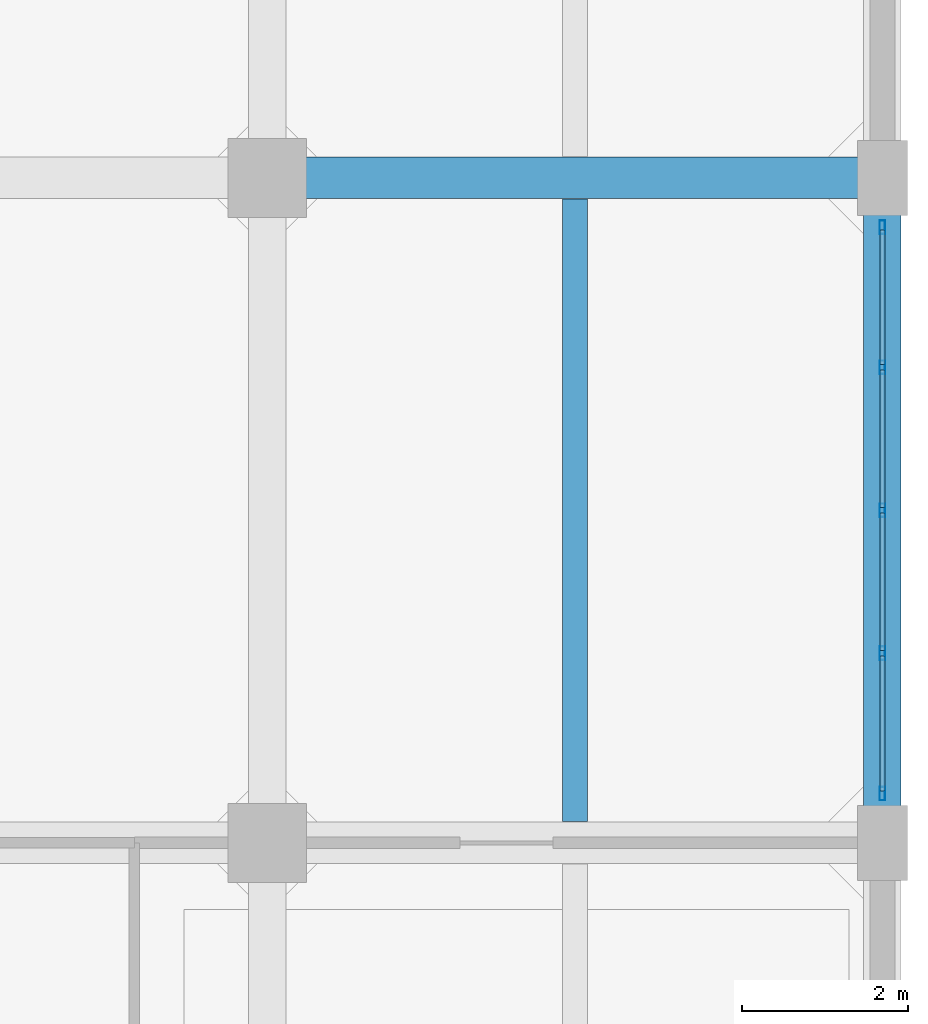
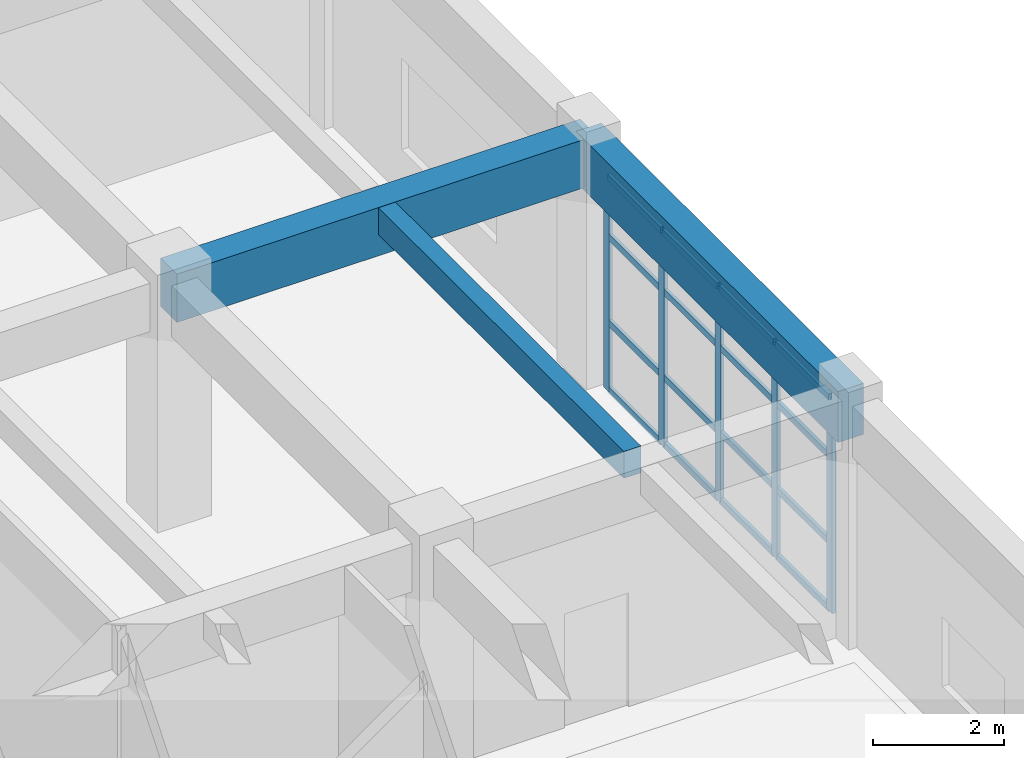
# One storey, part 191 of 248: 21 members, 3 beams, 1 element without a shape of its own.
"""IFC4 building model written with IfcOpenShell, lengths in metres."""

from ifc_helpers import new_model, si_unit, direction, frame, origin, origin_2d, place, context, subcontext, project, spatial, rectangle, hollow_rectangle, extrude, material, layer, layer_set, material_profile, profile_set, type_object, element, aggregate, save


model = new_model("IFC4")

# Units and contexts
model_context = context("Model", 3, precision=1e-05, world=origin(), true_north=direction((0.0, 1.0)))
body_context = subcontext(model_context, "Body", "Model", "MODEL_VIEW")
ifc_project = project(units=[si_unit("LENGTHUNIT", "METRE"), si_unit("AREAUNIT", "SQUARE_METRE"), si_unit("VOLUMEUNIT", "CUBIC_METRE"), si_unit("PLANEANGLEUNIT", "RADIAN"), si_unit("MASSUNIT", "GRAM", prefix="KILO")], contexts=[model_context])

# Site, building, storey
site_placement = place(None, origin())
site = spatial("IfcSite", under=ifc_project, at=site_placement, CompositionType="ELEMENT")
building_placement = place(site_placement, origin())
building = spatial("IfcBuilding", under=site, at=building_placement, Name="Canggui Botanical Conservatory", CompositionType="ELEMENT")
storey_placement = place(building_placement, frame((0.0, 0.0, 5.39990234375)))
storey = spatial("IfcBuildingStorey", under=building, at=storey_placement, Name="L02", CompositionType="ELEMENT", Elevation=5.39990234375)

# Beams
ifc_material_1 = material(Name="Concrete C35", Category="concrete")
ifc_material_profile_1 = material_profile(ifc_material_1, rectangle(XDim=0.300048828125, YDim=0.5, at=origin_2d()), Name="RB 300x500")
ifc_profile_set_1 = profile_set([ifc_material_profile_1], Name="Concrete C35")
beam_type_1 = type_object("IfcBeamType", Name="BM-JST02", PredefinedType="JOIST", material=ifc_profile_set_1)
beam_1_placement = place(storey_placement, frame((173.699951171875, 58.2548828125, 4.27001953125), z_axis=(0.0, 1.0, 0.0), x_axis=(-1.0, 0.0, 0.0)))
element("IfcBeam", 1, at=beam_1_placement, inside=storey, type_object=beam_type_1, Name="Secondary Floor Joist L02-6-5", PredefinedType="JOIST", context=body_context, shape_type="SweptSolid", body=[
    extrude(rectangle(XDim=0.300048828125, YDim=0.5, at=origin_2d()), origin(), (0.0, 0.0, 1.0), 7.490234375),
])
ifc_material_profile_2 = material_profile(ifc_material_1, rectangle(XDim=0.5, YDim=0.89990234375, at=origin_2d()), Name="RB 500x900")
ifc_profile_set_2 = profile_set([ifc_material_profile_2], Name="Concrete C35")
beam_type_2 = type_object("IfcBeamType", Name="BM-KL03", PredefinedType="BEAM", material=ifc_profile_set_2)
beam_2_placement = place(storey_placement, frame((170.0, 66.0, 4.070068359375), z_axis=(1.0, 0.0, 0.0), x_axis=(0.0, 1.0, 0.0)))
element("IfcBeam", 2, at=beam_2_placement, inside=storey, type_object=beam_type_2, Name="Frame Girder L02 Y66-6", PredefinedType="BEAM", context=body_context, shape_type="SweptSolid", body=[
    extrude(rectangle(XDim=0.5, YDim=0.89990234375, at=origin_2d()), origin(), (0.0, 0.0, 1.0), 7.39990234375),
])
ifc_material_profile_3 = material_profile(ifc_material_1, rectangle(XDim=0.449951171875, YDim=0.949951171875, at=origin_2d()), Name="RB 450x950")
ifc_profile_set_3 = profile_set([ifc_material_profile_3], Name="Concrete C35")
beam_type_3 = type_object("IfcBeamType", Name="BM-KL04", PredefinedType="BEAM", material=ifc_profile_set_3)
beam_3_placement = place(storey_placement, frame((177.39990234375, 58.0, 4.045166015625), z_axis=(0.0, 1.0, 0.0), x_axis=(-1.0, 0.0, 0.0)))
element("IfcBeam", 3, at=beam_3_placement, inside=storey, type_object=beam_type_3, Name="Frame Girder L02 X178-5", PredefinedType="BEAM", context=body_context, shape_type="SweptSolid", body=[
    extrude(rectangle(XDim=0.449951171875, YDim=0.949951171875, at=origin_2d()), origin(), (0.0, 0.0, 1.0), 8.0),
])

# Curtain wall, members
ifc_material_2 = material(Name="Thermally Broken Aluminium", Category="aluminium")
ifc_layer = layer(ifc_material_2, 0.1650390625, Name="Thermally Broken Aluminium", Category="aluminium")
ifc_layer_set = layer_set([ifc_layer], Name="Thermally Broken Aluminium")
curtain_wall_type = type_object("IfcCurtainWallType", Name="CW-UNIT-B", PredefinedType="USERDEFINED", material=ifc_layer_set)
curtain_wall_placement = place(storey_placement, origin())
curtain_wall = element("IfcCurtainWall", 4, at=curtain_wall_placement, inside=storey, type_object=curtain_wall_type, Name="Facade Curtain Wall CW-TWR-L02-22", ObjectType="UNITISED CURTAIN WALL", PredefinedType="USERDEFINED")
ifc_material_profile_4 = material_profile(ifc_material_2, hollow_rectangle(XDim=0.06494140625, YDim=0.1650390625, WallThickness=0.00390625, at=origin_2d()), Name="CWM 65x165x4")
ifc_profile_set_4 = profile_set([ifc_material_profile_4], Name="Thermally Broken Aluminium")
member_type_1 = type_object("IfcMemberType", Name="CWM-02", PredefinedType="MULLION", material=ifc_profile_set_4)
member_1_placement = place(storey_placement, frame((177.39990234375, 65.407470703125, 0.0), z_axis=(0.0, 0.0, 1.0), x_axis=(1.0, 0.0, 0.0)))
member_1 = element("IfcMember", 5, at=member_1_placement, type_object=member_type_1, Name="CW-02 mullion 1", PredefinedType="MULLION", context=body_context, shape_type="SweptSolid", body=[
    extrude(hollow_rectangle(XDim=0.06494140625, YDim=0.1650390625, WallThickness=0.00390625, at=origin_2d()), origin(), (0.0, 0.0, 1.0), 4.0),
])
member_2_placement = place(storey_placement, frame((177.39990234375, 63.719970703125, 0.0), z_axis=(0.0, 0.0, 1.0), x_axis=(1.0, 0.0, 0.0)))
member_2 = element("IfcMember", 6, at=member_2_placement, type_object=member_type_1, Name="CW-02 mullion 2", PredefinedType="MULLION", context=body_context, shape_type="SweptSolid", body=[
    extrude(hollow_rectangle(XDim=0.06494140625, YDim=0.1650390625, WallThickness=0.00390625, at=origin_2d()), origin(), (0.0, 0.0, 1.0), 4.0),
])
member_3_placement = place(storey_placement, frame((177.39990234375, 62.0, 0.0), z_axis=(0.0, 0.0, 1.0), x_axis=(1.0, 0.0, 0.0)))
member_3 = element("IfcMember", 7, at=member_3_placement, type_object=member_type_1, Name="CW-02 mullion 3", PredefinedType="MULLION", context=body_context, shape_type="SweptSolid", body=[
    extrude(hollow_rectangle(XDim=0.06494140625, YDim=0.1650390625, WallThickness=0.00390625, at=origin_2d()), origin(), (0.0, 0.0, 1.0), 4.0),
])
member_4_placement = place(storey_placement, frame((177.39990234375, 60.280029296875, 0.0), z_axis=(0.0, 0.0, 1.0), x_axis=(1.0, 0.0, 0.0)))
member_4 = element("IfcMember", 8, at=member_4_placement, type_object=member_type_1, Name="CW-02 mullion 4", PredefinedType="MULLION", context=body_context, shape_type="SweptSolid", body=[
    extrude(hollow_rectangle(XDim=0.06494140625, YDim=0.1650390625, WallThickness=0.00390625, at=origin_2d()), origin(), (0.0, 0.0, 1.0), 4.0),
])
member_5_placement = place(storey_placement, frame((177.39990234375, 58.592529296875, 0.0), z_axis=(0.0, 0.0, 1.0), x_axis=(1.0, 0.0, 0.0)))
member_5 = element("IfcMember", 9, at=member_5_placement, type_object=member_type_1, Name="CW-02 mullion 5", PredefinedType="MULLION", context=body_context, shape_type="SweptSolid", body=[
    extrude(hollow_rectangle(XDim=0.06494140625, YDim=0.1650390625, WallThickness=0.00390625, at=origin_2d()), origin(), (0.0, 0.0, 1.0), 4.0),
])
ifc_material_profile_5 = material_profile(ifc_material_2, hollow_rectangle(XDim=0.06005859375, YDim=0.1201171875, WallThickness=0.00341796875, at=origin_2d()), Name="CWT 60x120x3.5")
ifc_profile_set_5 = profile_set([ifc_material_profile_5], Name="Thermally Broken Aluminium")
member_type_2 = type_object("IfcMemberType", Name="CWT-02", PredefinedType="USERDEFINED", material=ifc_profile_set_5)
member_6_placement = place(storey_placement, frame((177.39990234375, 65.375, 0.030029296875), z_axis=(0.0, -1.0, 0.0), x_axis=(1.0, 0.0, 0.0)))
member_6 = element("IfcMember", 10, at=member_6_placement, type_object=member_type_2, Name="CW-02 transom 1.1", ObjectType="TRANSOM", PredefinedType="USERDEFINED", context=body_context, shape_type="SweptSolid", body=[
    extrude(hollow_rectangle(XDim=0.06005859375, YDim=0.1201171875, WallThickness=0.00341796875, at=origin_2d()), origin(), (0.0, 0.0, 1.0), 1.62255859375),
])
member_7_placement = place(storey_placement, frame((177.39990234375, 65.375, 1.280029296875), z_axis=(0.0, -1.0, 0.0), x_axis=(1.0, 0.0, 0.0)))
member_7 = element("IfcMember", 11, at=member_7_placement, type_object=member_type_2, Name="CW-02 transom 1.2", ObjectType="TRANSOM", PredefinedType="USERDEFINED", context=body_context, shape_type="SweptSolid", body=[
    extrude(hollow_rectangle(XDim=0.06005859375, YDim=0.1201171875, WallThickness=0.00341796875, at=origin_2d()), origin(), (0.0, 0.0, 1.0), 1.62255859375),
])
member_8_placement = place(storey_placement, frame((177.39990234375, 65.375, 2.880126953125), z_axis=(0.0, -1.0, 0.0), x_axis=(1.0, 0.0, 0.0)))
member_8 = element("IfcMember", 12, at=member_8_placement, type_object=member_type_2, Name="CW-02 transom 1.3", ObjectType="TRANSOM", PredefinedType="USERDEFINED", context=body_context, shape_type="SweptSolid", body=[
    extrude(hollow_rectangle(XDim=0.06005859375, YDim=0.1201171875, WallThickness=0.00341796875, at=origin_2d()), origin(), (0.0, 0.0, 1.0), 1.62255859375),
])
member_9_placement = place(storey_placement, frame((177.39990234375, 65.375, 3.97021484375), z_axis=(0.0, -1.0, 0.0), x_axis=(1.0, 0.0, 0.0)))
member_9 = element("IfcMember", 13, at=member_9_placement, type_object=member_type_2, Name="CW-02 transom 1.4", ObjectType="TRANSOM", PredefinedType="USERDEFINED", context=body_context, shape_type="SweptSolid", body=[
    extrude(hollow_rectangle(XDim=0.06005859375, YDim=0.1201171875, WallThickness=0.00341796875, at=origin_2d()), origin(), (0.0, 0.0, 1.0), 1.62255859375),
])
member_10_placement = place(storey_placement, frame((177.39990234375, 63.6875, 0.030029296875), z_axis=(0.0, -1.0, 0.0), x_axis=(1.0, 0.0, 0.0)))
member_10 = element("IfcMember", 14, at=member_10_placement, type_object=member_type_2, Name="CW-02 transom 2.1", ObjectType="TRANSOM", PredefinedType="USERDEFINED", context=body_context, shape_type="SweptSolid", body=[
    extrude(hollow_rectangle(XDim=0.06005859375, YDim=0.1201171875, WallThickness=0.00341796875, at=origin_2d()), origin(), (0.0, 0.0, 1.0), 1.655029296875),
])
member_11_placement = place(storey_placement, frame((177.39990234375, 63.6875, 1.280029296875), z_axis=(0.0, -1.0, 0.0), x_axis=(1.0, 0.0, 0.0)))
member_11 = element("IfcMember", 15, at=member_11_placement, type_object=member_type_2, Name="CW-02 transom 2.2", ObjectType="TRANSOM", PredefinedType="USERDEFINED", context=body_context, shape_type="SweptSolid", body=[
    extrude(hollow_rectangle(XDim=0.06005859375, YDim=0.1201171875, WallThickness=0.00341796875, at=origin_2d()), origin(), (0.0, 0.0, 1.0), 1.655029296875),
])
member_12_placement = place(storey_placement, frame((177.39990234375, 63.6875, 2.880126953125), z_axis=(0.0, -1.0, 0.0), x_axis=(1.0, 0.0, 0.0)))
member_12 = element("IfcMember", 16, at=member_12_placement, type_object=member_type_2, Name="CW-02 transom 2.3", ObjectType="TRANSOM", PredefinedType="USERDEFINED", context=body_context, shape_type="SweptSolid", body=[
    extrude(hollow_rectangle(XDim=0.06005859375, YDim=0.1201171875, WallThickness=0.00341796875, at=origin_2d()), origin(), (0.0, 0.0, 1.0), 1.655029296875),
])
member_13_placement = place(storey_placement, frame((177.39990234375, 63.6875, 3.97021484375), z_axis=(0.0, -1.0, 0.0), x_axis=(1.0, 0.0, 0.0)))
member_13 = element("IfcMember", 17, at=member_13_placement, type_object=member_type_2, Name="CW-02 transom 2.4", ObjectType="TRANSOM", PredefinedType="USERDEFINED", context=body_context, shape_type="SweptSolid", body=[
    extrude(hollow_rectangle(XDim=0.06005859375, YDim=0.1201171875, WallThickness=0.00341796875, at=origin_2d()), origin(), (0.0, 0.0, 1.0), 1.655029296875),
])
member_14_placement = place(storey_placement, frame((177.39990234375, 61.967529296875, 0.030029296875), z_axis=(0.0, -1.0, 0.0), x_axis=(1.0, 0.0, 0.0)))
member_14 = element("IfcMember", 18, at=member_14_placement, type_object=member_type_2, Name="CW-02 transom 3.1", ObjectType="TRANSOM", PredefinedType="USERDEFINED", context=body_context, shape_type="SweptSolid", body=[
    extrude(hollow_rectangle(XDim=0.06005859375, YDim=0.1201171875, WallThickness=0.00341796875, at=origin_2d()), origin(), (0.0, 0.0, 1.0), 1.655029296875),
])
member_15_placement = place(storey_placement, frame((177.39990234375, 61.967529296875, 1.280029296875), z_axis=(0.0, -1.0, 0.0), x_axis=(1.0, 0.0, 0.0)))
member_15 = element("IfcMember", 19, at=member_15_placement, type_object=member_type_2, Name="CW-02 transom 3.2", ObjectType="TRANSOM", PredefinedType="USERDEFINED", context=body_context, shape_type="SweptSolid", body=[
    extrude(hollow_rectangle(XDim=0.06005859375, YDim=0.1201171875, WallThickness=0.00341796875, at=origin_2d()), origin(), (0.0, 0.0, 1.0), 1.655029296875),
])
member_16_placement = place(storey_placement, frame((177.39990234375, 61.967529296875, 2.880126953125), z_axis=(0.0, -1.0, 0.0), x_axis=(1.0, 0.0, 0.0)))
member_16 = element("IfcMember", 20, at=member_16_placement, type_object=member_type_2, Name="CW-02 transom 3.3", ObjectType="TRANSOM", PredefinedType="USERDEFINED", context=body_context, shape_type="SweptSolid", body=[
    extrude(hollow_rectangle(XDim=0.06005859375, YDim=0.1201171875, WallThickness=0.00341796875, at=origin_2d()), origin(), (0.0, 0.0, 1.0), 1.655029296875),
])
member_17_placement = place(storey_placement, frame((177.39990234375, 61.967529296875, 3.97021484375), z_axis=(0.0, -1.0, 0.0), x_axis=(1.0, 0.0, 0.0)))
member_17 = element("IfcMember", 21, at=member_17_placement, type_object=member_type_2, Name="CW-02 transom 3.4", ObjectType="TRANSOM", PredefinedType="USERDEFINED", context=body_context, shape_type="SweptSolid", body=[
    extrude(hollow_rectangle(XDim=0.06005859375, YDim=0.1201171875, WallThickness=0.00341796875, at=origin_2d()), origin(), (0.0, 0.0, 1.0), 1.655029296875),
])
member_18_placement = place(storey_placement, frame((177.39990234375, 60.24755859375, 0.030029296875), z_axis=(0.0, -1.0, 0.0), x_axis=(1.0, 0.0, 0.0)))
member_18 = element("IfcMember", 22, at=member_18_placement, type_object=member_type_2, Name="CW-02 transom 4.1", ObjectType="TRANSOM", PredefinedType="USERDEFINED", context=body_context, shape_type="SweptSolid", body=[
    extrude(hollow_rectangle(XDim=0.06005859375, YDim=0.1201171875, WallThickness=0.00341796875, at=origin_2d()), origin(), (0.0, 0.0, 1.0), 1.62255859375),
])
member_19_placement = place(storey_placement, frame((177.39990234375, 60.24755859375, 1.280029296875), z_axis=(0.0, -1.0, 0.0), x_axis=(1.0, 0.0, 0.0)))
member_19 = element("IfcMember", 23, at=member_19_placement, type_object=member_type_2, Name="CW-02 transom 4.2", ObjectType="TRANSOM", PredefinedType="USERDEFINED", context=body_context, shape_type="SweptSolid", body=[
    extrude(hollow_rectangle(XDim=0.06005859375, YDim=0.1201171875, WallThickness=0.00341796875, at=origin_2d()), origin(), (0.0, 0.0, 1.0), 1.62255859375),
])
member_20_placement = place(storey_placement, frame((177.39990234375, 60.24755859375, 2.880126953125), z_axis=(0.0, -1.0, 0.0), x_axis=(1.0, 0.0, 0.0)))
member_20 = element("IfcMember", 24, at=member_20_placement, type_object=member_type_2, Name="CW-02 transom 4.3", ObjectType="TRANSOM", PredefinedType="USERDEFINED", context=body_context, shape_type="SweptSolid", body=[
    extrude(hollow_rectangle(XDim=0.06005859375, YDim=0.1201171875, WallThickness=0.00341796875, at=origin_2d()), origin(), (0.0, 0.0, 1.0), 1.62255859375),
])
member_21_placement = place(storey_placement, frame((177.39990234375, 60.24755859375, 3.97021484375), z_axis=(0.0, -1.0, 0.0), x_axis=(1.0, 0.0, 0.0)))
member_21 = element("IfcMember", 25, at=member_21_placement, type_object=member_type_2, Name="CW-02 transom 4.4", ObjectType="TRANSOM", PredefinedType="USERDEFINED", context=body_context, shape_type="SweptSolid", body=[
    extrude(hollow_rectangle(XDim=0.06005859375, YDim=0.1201171875, WallThickness=0.00341796875, at=origin_2d()), origin(), (0.0, 0.0, 1.0), 1.62255859375),
])
aggregate(curtain_wall, [member_1, member_2, member_3, member_4, member_5, member_6, member_7, member_8, member_9, member_10, member_11, member_12, member_13, member_14, member_15, member_16, member_17, member_18, member_19, member_20, member_21])

save(model, "model.ifc")
